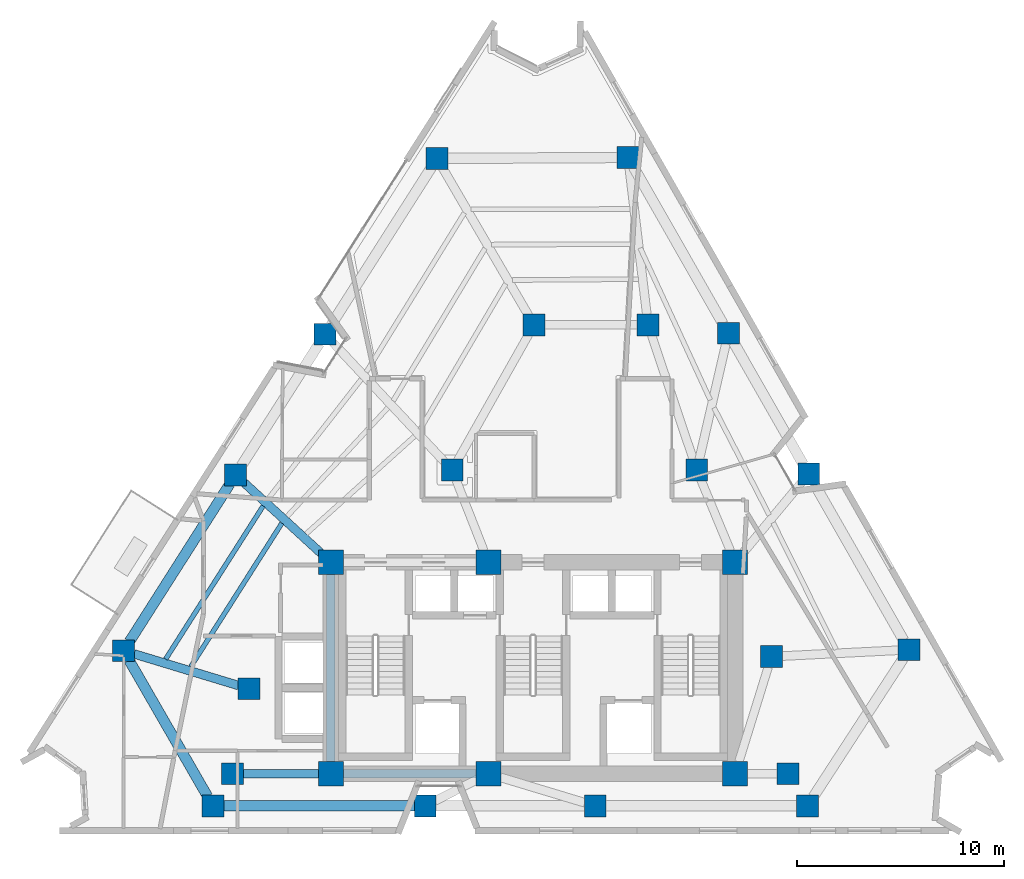
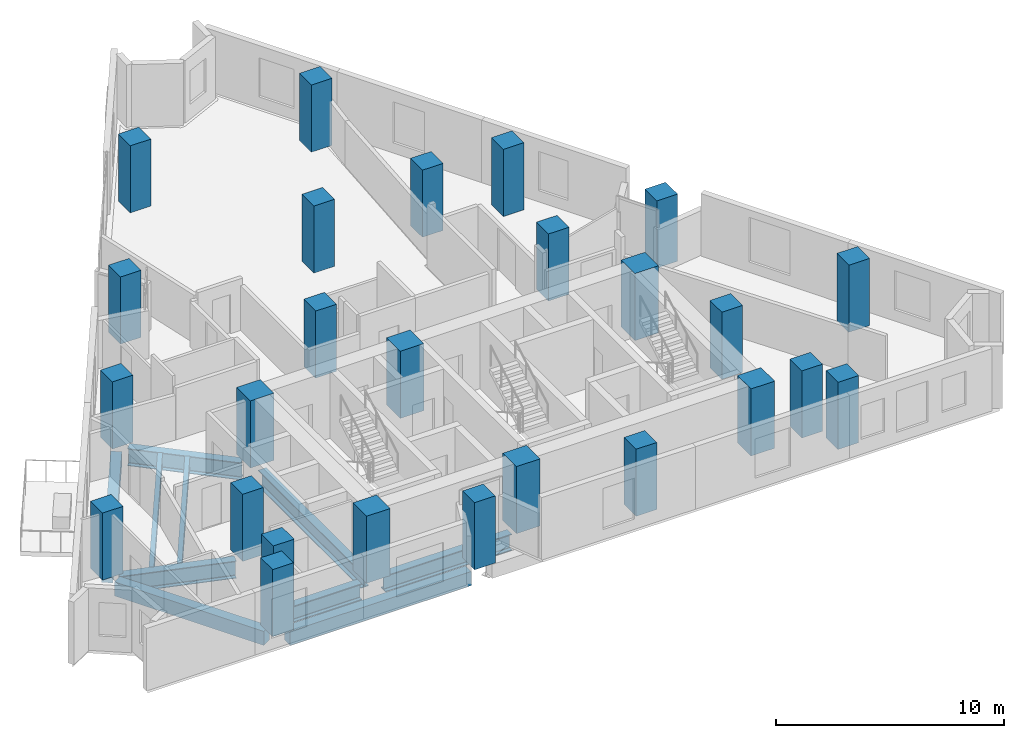
# One storey, part 1 of 11: 26 columns, 10 beams.
"""IFC4 building model written with IfcOpenShell, lengths in metres."""

from ifc_helpers import new_model, si_unit, direction, frame, origin, origin_2d, place, context, subcontext, project, spatial, rectangle, i_section, extrude, material, material_profile, profile_set, type_object, element, save


model = new_model("IFC4")

# Units and contexts
model_context = context("Model", 3, precision=1e-05, world=origin(), true_north=direction((0.0, 1.0)))
body_context = subcontext(model_context, "Body", "Model", "MODEL_VIEW")
ifc_project = project(units=[si_unit("LENGTHUNIT", "METRE"), si_unit("AREAUNIT", "SQUARE_METRE"), si_unit("VOLUMEUNIT", "CUBIC_METRE"), si_unit("PLANEANGLEUNIT", "RADIAN"), si_unit("MASSUNIT", "GRAM", prefix="KILO")], contexts=[model_context])

# Site, building, storey
site_placement = place(None, origin())
site = spatial("IfcSite", under=ifc_project, at=site_placement, CompositionType="ELEMENT")
building_placement = place(site_placement, origin())
building = spatial("IfcBuilding", under=site, at=building_placement, Name="Almagre Mirador Tower", CompositionType="ELEMENT")
storey_placement = place(building_placement, frame((0.0, 0.0, 142.800048828125)))
storey = spatial("IfcBuildingStorey", under=building, at=storey_placement, Name="L36", CompositionType="ELEMENT", Elevation=142.800048828125)

# Columns
ifc_material_1 = material(Name="Concrete C60/75", Category="concrete")
ifc_material_profile_1 = material_profile(ifc_material_1, rectangle(XDim=1.050048828125, YDim=1.050048828125, at=origin_2d()), Name="RC1050X1050")
ifc_profile_set_1 = profile_set([ifc_material_profile_1], Name="Concrete C60/75")
column_type_1 = type_object("IfcColumnType", Name="COL-RC1050", PredefinedType="COLUMN", material=ifc_profile_set_1)
for number, where, z_axis, x_axis, name in (
    (1, (22.800048828125, 4.550048828125, 0.0), (0.0, 0.0, 1.0), (1.0, 0.0, 0.0), "L36 interior transfer column MC1"),
    (2, (49.60009765625, 4.550048828125, 0.0), (0.0, 0.0, 1.0), (1.0, 0.0, 0.0), "L36 interior transfer column MC2"),
    (3, (48.800048828125, 10.199951171875, 0.0), (0.0, 0.0, 1.0), (1.0, 0.0, 0.0), "L36 interior transfer column MC3"),
    (4, (45.199951171875, 19.199951171875, 0.0), (0.0, 0.0, 1.0), (1.0, 0.0, 0.0), "L36 interior transfer column MC5"),
    (5, (42.85009765625, 26.199951171875, 0.0), (0.0, 0.0, 1.0), (1.0, 0.0, 0.0), "L36 interior transfer column MC6"),
    (6, (37.35009765625, 26.199951171875, 0.0), (0.0, 0.0, 1.0), (1.0, 0.0, 0.0), "L36 interior transfer column MC7"),
    (7, (33.39990234375, 19.199951171875, 0.0), (0.0, 0.0, 1.0), (1.0, 0.0, 0.0), "L36 interior transfer column MC8"),
    (8, (23.60009765625, 8.64990234375, 0.0), (0.0, 0.0, 1.0), (1.0, 0.0, 0.0), "L36 interior transfer column MC10"),
    (9, (21.864013671875, 3.0, 0.0), (0.0, 0.0, 1.0), (1.0, 0.0, 0.0), "L36 perimeter column PC01"),
    (10, (32.10400390625, 3.0, 0.0), (0.0, 0.0, 1.0), (1.0, 0.0, 0.0), "L36 perimeter column PC02"),
    (11, (40.2958984375, 3.0, 0.0), (0.0, 0.0, 1.0), (1.0, 0.0, 0.0), "L36 perimeter column PC03"),
    (12, (50.535888671875, 3.0, 0.0), (0.0, 0.0, 1.0), (1.0, 0.0, 0.0), "L36 perimeter column PC04"),
    (13, (55.43408203125, 10.532958984375, 0.0), (0.0, 0.0, 1.0), (1.0, 0.0, 0.0), "L36 perimeter column PC05"),
    (14, (50.593994140625, 19.012939453125, 0.0), (0.0, 0.0, 1.0), (1.0, 0.0, 0.0), "L36 perimeter column PC06"),
    (15, (46.721923828125, 25.797119140625, 0.0), (0.0, 0.0, 1.0), (1.0, 0.0, 0.0), "L36 perimeter column PC07"),
    (16, (41.882080078125, 34.277099609375, 0.0), (0.0, 0.0, 1.0), (1.0, 0.0, 0.0), "L36 perimeter column PC08"),
    (17, (32.672119140625, 34.22705078125, 0.0), (0.0, 0.0, 1.0), (1.0, 0.0, 0.0), "L36 perimeter column PC09"),
    (18, (27.27197265625, 25.7470703125, 0.0), (0.0, 0.0, 1.0), (1.0, 0.0, 0.0), "L36 perimeter column PC10"),
    (19, (22.951904296875, 18.962890625, 0.0), (0.0, 0.0, 1.0), (1.0, 0.0, 0.0), "L36 perimeter column PC11"),
    (20, (17.552001953125, 10.48291015625, 0.0), (0.0, 0.0, 1.0), (1.0, 0.0, 0.0), "L36 perimeter column PC12"),
):
    element("IfcColumn", number, at=place(storey_placement, frame(where, z_axis=z_axis, x_axis=x_axis)), inside=storey, type_object=column_type_1, Name=name, PredefinedType="COLUMN", context=body_context, shape_type="SweptSolid", body=[
        extrude(rectangle(XDim=1.050048828125, YDim=1.050048828125, at=origin_2d()), origin(), (0.0, 0.0, 1.0), 3.599853515625),
    ])
ifc_material_2 = material(Name="Concrete C60/75", Category="concrete")
ifc_material_profile_2 = material_profile(ifc_material_2, rectangle(XDim=1.199951171875, YDim=1.199951171875, at=origin_2d()), Name="RC1200X1200")
ifc_profile_set_2 = profile_set([ifc_material_profile_2], Name="Concrete C60/75")
column_type_2 = type_object("IfcColumnType", Name="COL-RC1200", PredefinedType="COLUMN", material=ifc_profile_set_2)
for number, where, z_axis, x_axis, name in (
    (21, (27.550048828125, 4.550048828125, 0.0), (0.0, 0.0, 1.0), (1.0, 0.0, 0.0), "L36 core spine column CC1"),
    (22, (35.14990234375, 4.550048828125, 0.0), (0.0, 0.0, 1.0), (1.0, 0.0, 0.0), "L36 core spine column CC2"),
    (23, (47.050048828125, 4.550048828125, 0.0), (0.0, 0.0, 1.0), (1.0, 0.0, 0.0), "L36 core spine column CC3"),
    (24, (27.550048828125, 14.75, 0.0), (0.0, 0.0, 1.0), (1.0, 0.0, 0.0), "L36 core spine column CC4"),
    (25, (35.14990234375, 14.75, 0.0), (0.0, 0.0, 1.0), (1.0, 0.0, 0.0), "L36 core spine column CC5"),
    (26, (47.050048828125, 14.75, 0.0), (0.0, 0.0, 1.0), (1.0, 0.0, 0.0), "L36 core spine column CC6"),
):
    element("IfcColumn", number, at=place(storey_placement, frame(where, z_axis=z_axis, x_axis=x_axis)), inside=storey, type_object=column_type_2, Name=name, PredefinedType="COLUMN", context=body_context, shape_type="SweptSolid", body=[
        extrude(rectangle(XDim=1.199951171875, YDim=1.199951171875, at=origin_2d()), origin(), (0.0, 0.0, 1.0), 3.599853515625),
    ])

# Beams
ifc_material_3 = material(Name="Steel ASTM A992 Grade 50", Category="steel")
ifc_material_profile_3 = material_profile(ifc_material_3, i_section(OverallWidth=0.22802734375, OverallDepth=0.60791015625, WebThickness=0.01123046875, FlangeThickness=0.017333984375, FilletRadius=0.02001953125, at=origin_2d()), Name="W24X76")
ifc_profile_set_3 = profile_set([ifc_material_profile_3], Name="Steel ASTM A992 Grade 50")
beam_type_1 = type_object("IfcBeamType", Name="BM-JST-W24X76", PredefinedType="JOIST", material=ifc_profile_set_3)
beam_1_placement = place(storey_placement, frame((24.281982421875, 17.465087890625, -0.553955078125), z_axis=(-0.537115418159, -0.843508759632, 0.0), x_axis=(0.843508759632, -0.537115418159, 0.0)))
element("IfcBeam", 27, at=beam_1_placement, inside=storey, type_object=beam_type_1, Name="L36 secondary floor joist PC11-PC12.1", PredefinedType="JOIST", context=body_context, shape_type="SweptSolid", body=[
    extrude(i_section(OverallWidth=0.22802734375, OverallDepth=0.60791015625, WebThickness=0.01123046875, FlangeThickness=0.017333984375, FilletRadius=0.02001953125, at=origin_2d()), origin(), (0.0, 0.0, 1.0), 8.75634765625),
])
beam_2_placement = place(storey_placement, frame((25.186767578125, 16.63623046875, -0.553955078125), z_axis=(-0.536170420984, -0.844109755696, 0.0), x_axis=(0.844109755696, -0.536170420984, 0.0)))
element("IfcBeam", 28, at=beam_2_placement, inside=storey, type_object=beam_type_1, Name="L36 secondary floor joist PC11-PC12.2", PredefinedType="JOIST", context=body_context, shape_type="SweptSolid", body=[
    extrude(i_section(OverallWidth=0.22802734375, OverallDepth=0.60791015625, WebThickness=0.01123046875, FlangeThickness=0.017333984375, FilletRadius=0.02001953125, at=origin_2d()), origin(), (0.0, 0.0, 1.0), 8.20263671875),
])
ifc_material_4 = material(Name="Precast concrete C50/60", Category="concrete")
ifc_material_profile_4 = material_profile(ifc_material_4, rectangle(XDim=0.5, YDim=0.75, at=origin_2d()), Name="RC500X750")
ifc_profile_set_4 = profile_set([ifc_material_profile_4], Name="Precast concrete C50/60")
beam_type_2 = type_object("IfcBeamType", Name="BM-SPN-RC500X750", PredefinedType="SPANDREL", material=ifc_profile_set_4)
beam_3_placement = place(storey_placement, frame((22.388916015625, 3.0, -0.625), z_axis=(1.0, 0.0, 0.0), x_axis=(0.0, 1.0, 0.0)))
element("IfcBeam", 29, at=beam_3_placement, inside=storey, type_object=beam_type_2, Name="L36 perimeter spandrel beam PC01-PC02", PredefinedType="SPANDREL", context=body_context, shape_type="SweptSolid", body=[
    extrude(rectangle(XDim=0.5, YDim=0.75, at=origin_2d()), origin(), (0.0, 0.0, 1.0), 9.190185546875),
])
beam_4_placement = place(storey_placement, frame((22.669921875, 18.520263671875, -0.625), z_axis=(-0.53711935681, -0.84350625163, 0.0), x_axis=(0.84350625163, -0.53711935681, 0.0)))
element("IfcBeam", 30, at=beam_4_placement, inside=storey, type_object=beam_type_2, Name="L36 perimeter spandrel beam PC11-PC12", PredefinedType="SPANDREL", context=body_context, shape_type="SweptSolid", body=[
    extrude(rectangle(XDim=0.5, YDim=0.75, at=origin_2d()), origin(), (0.0, 0.0, 1.0), 9.00341796875),
])
beam_5_placement = place(storey_placement, frame((17.814208984375, 10.028076171875, -0.625), z_axis=(0.499261771352, -0.866451200972, 0.0), x_axis=(0.866451200972, 0.499261771352, 0.0)))
element("IfcBeam", 31, at=beam_5_placement, inside=storey, type_object=beam_type_2, Name="L36 perimeter spandrel beam PC12-PC01", PredefinedType="SPANDREL", context=body_context, shape_type="SweptSolid", body=[
    extrude(rectangle(XDim=0.5, YDim=0.75, at=origin_2d()), origin(), (0.0, 0.0, 1.0), 7.58642578125),
])
ifc_material_5 = material(Name="Steel ASTM A992 Grade 50", Category="steel")
ifc_material_profile_5 = material_profile(ifc_material_5, i_section(OverallWidth=0.404052734375, OverallDepth=0.884033203125, WebThickness=0.0244140625, FlangeThickness=0.0439453125, FilletRadius=0.02490234375, at=origin_2d()), Name="W33X291")
ifc_profile_set_5 = profile_set([ifc_material_profile_5], Name="Steel ASTM A992 Grade 50")
beam_type_3 = type_object("IfcBeamType", Name="BM-STL-W33X291", PredefinedType="BEAM", material=ifc_profile_set_5)
beam_6_placement = place(storey_placement, frame((28.14990234375, 4.550048828125, -0.692138671875), z_axis=(1.0, 0.0, 0.0), x_axis=(0.0, 1.0, 0.0)))
element("IfcBeam", 32, at=beam_6_placement, inside=storey, type_object=beam_type_3, Name="L36 core tie girder CC1-CC2", PredefinedType="BEAM", context=body_context, shape_type="SweptSolid", body=[
    extrude(i_section(OverallWidth=0.404052734375, OverallDepth=0.884033203125, WebThickness=0.0244140625, FlangeThickness=0.0439453125, FilletRadius=0.02490234375, at=origin_2d()), origin(), (0.0, 0.0, 1.0), 6.400146484375),
])
beam_7_placement = place(storey_placement, frame((27.550048828125, 5.14990234375, -0.692138671875), z_axis=(0.0, 1.0, 0.0), x_axis=(-1.0, 0.0, 0.0)))
element("IfcBeam", 33, at=beam_7_placement, inside=storey, type_object=beam_type_3, Name="L36 core tie girder CC1-CC4", PredefinedType="BEAM", context=body_context, shape_type="SweptSolid", body=[
    extrude(i_section(OverallWidth=0.404052734375, OverallDepth=0.884033203125, WebThickness=0.0244140625, FlangeThickness=0.0439453125, FilletRadius=0.02490234375, at=origin_2d()), origin(), (0.0, 0.0, 1.0), 9.0),
])
beam_8_placement = place(storey_placement, frame((23.324951171875, 4.550048828125, -0.692138671875), z_axis=(1.0, 0.0, 0.0), x_axis=(0.0, 1.0, 0.0)))
element("IfcBeam", 34, at=beam_8_placement, inside=storey, type_object=beam_type_3, Name="L36 core tie girder MC1-CC1", PredefinedType="BEAM", context=body_context, shape_type="SweptSolid", body=[
    extrude(i_section(OverallWidth=0.404052734375, OverallDepth=0.884033203125, WebThickness=0.0244140625, FlangeThickness=0.0439453125, FilletRadius=0.02490234375, at=origin_2d()), origin(), (0.0, 0.0, 1.0), 3.625),
])
ifc_material_6 = material(Name="Steel ASTM A992 Grade 50", Category="steel")
ifc_material_profile_6 = material_profile(ifc_material_6, i_section(OverallWidth=0.41796875, OverallDepth=0.927001953125, WebThickness=0.019287109375, FlangeThickness=0.031982421875, FilletRadius=0.028076171875, at=origin_2d()), Name="W36X231")
ifc_profile_set_6 = profile_set([ifc_material_profile_6], Name="Steel ASTM A992 Grade 50")
beam_type_4 = type_object("IfcBeamType", Name="BM-STL-W36X231", PredefinedType="BEAM", material=ifc_profile_set_6)
beam_9_placement = place(storey_placement, frame((23.339111328125, 18.6083984375, -0.713623046875), z_axis=(0.73728894688, -0.675577537229, 0.0), x_axis=(0.675577537229, 0.73728894688, 0.0)))
element("IfcBeam", 35, at=beam_9_placement, inside=storey, type_object=beam_type_4, Name="L36 radial floor girder PC11-CC4", PredefinedType="BEAM", context=body_context, shape_type="SweptSolid", body=[
    extrude(i_section(OverallWidth=0.41796875, OverallDepth=0.927001953125, WebThickness=0.019287109375, FlangeThickness=0.031982421875, FilletRadius=0.028076171875, at=origin_2d()), origin(), (0.0, 0.0, 1.0), 5.111328125),
])
beam_10_placement = place(storey_placement, frame((18.054443359375, 10.330810546875, -0.713623046875), z_axis=(0.957007648209, -0.290062685068, 0.0), x_axis=(0.290062685068, 0.957007648209, 0.0)))
element("IfcBeam", 36, at=beam_10_placement, inside=storey, type_object=beam_type_4, Name="L36 radial floor girder PC12-MC10", PredefinedType="BEAM", context=body_context, shape_type="SweptSolid", body=[
    extrude(i_section(OverallWidth=0.41796875, OverallDepth=0.927001953125, WebThickness=0.019287109375, FlangeThickness=0.031982421875, FilletRadius=0.028076171875, at=origin_2d()), origin(), (0.0, 0.0, 1.0), 5.269775390625),
])

save(model, "model.ifc")
